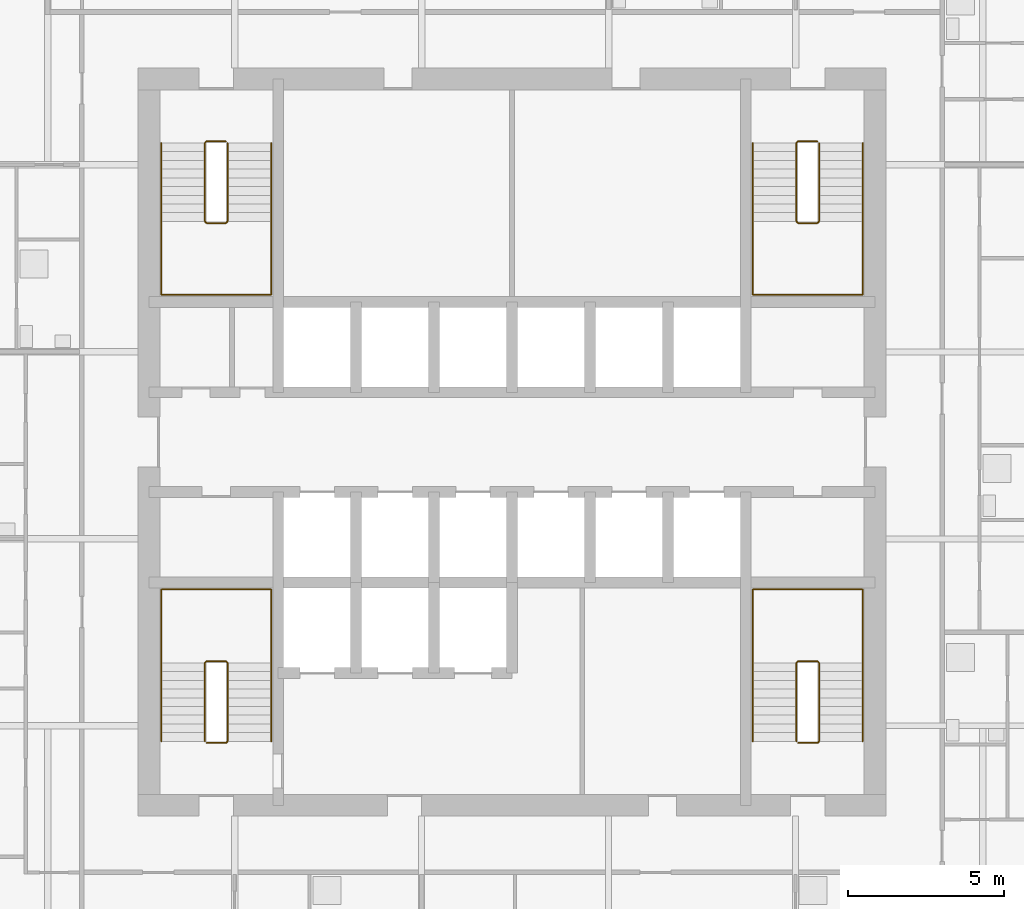
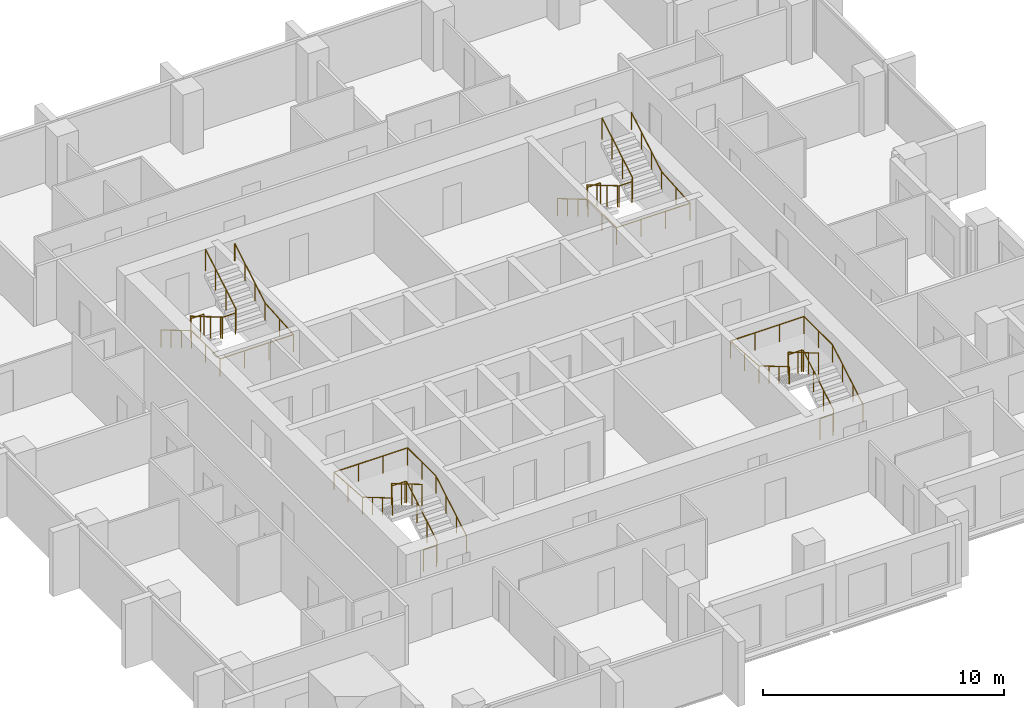
# One storey, part 9 of 10: 8 railings.
"""IFC4 building model written with IfcOpenShell, lengths in metres."""

from ifc_helpers import new_model, si_unit, direction, frame, origin, origin_2d, place, context, subcontext, project, spatial, circle, extrude, material, type_object, element, save


model = new_model("IFC4")

# Units and contexts
model_context = context("Model", 3, precision=1e-05, world=origin(), true_north=direction((0.0, 1.0)))
body_context = subcontext(model_context, "Body", "Model", "MODEL_VIEW")
ifc_project = project(units=[si_unit("LENGTHUNIT", "METRE"), si_unit("AREAUNIT", "SQUARE_METRE"), si_unit("VOLUMEUNIT", "CUBIC_METRE"), si_unit("PLANEANGLEUNIT", "RADIAN"), si_unit("MASSUNIT", "GRAM", prefix="KILO")], contexts=[model_context])

# Site, building, storey
site_placement = place(None, origin())
site = spatial("IfcSite", under=ifc_project, at=site_placement, CompositionType="ELEMENT")
building_placement = place(site_placement, origin())
building = spatial("IfcBuilding", under=site, at=building_placement, Name="Amberfall Residences", CompositionType="ELEMENT")
storey_placement = place(building_placement, frame((0.0, 0.0, 147.10009765625)))
storey = spatial("IfcBuildingStorey", under=building, at=storey_placement, Name="L39", CompositionType="ELEMENT", Elevation=147.10009765625)

# Railings
ifc_material = material(Name="Stainless steel 316", Category="steel")
railing_type_1 = type_object("IfcRailingType", Name="Stair guard 1100", PredefinedType="GUARDRAIL", material=ifc_material)
railing_1_placement = place(storey_placement, frame((64.699951171875, 35.85009765625, 0.0)))
element("IfcRailing", 1, at=railing_1_placement, inside=storey, type_object=railing_type_1, Name="L39 stair 1 guard", PredefinedType="GUARDRAIL", context=body_context, shape_type="SweptSolid", body=[
    extrude(circle(Radius=0.02392578125, at=origin_2d()), frame((0.0, 0.0, 1.076171875), z_axis=(1.0, 0.0, 0.0), x_axis=(0.0, 1.0, 0.0)), (0.0, 0.0, 1.0), 0.625),
    extrude(circle(Radius=0.02392578125, at=origin_2d()), frame((0.625, 0.0, 1.076171875), z_axis=(0.279159454702, 0.277797701265, 0.919183570361), x_axis=(-0.705375805398, 0.708833529934, 0.0)), (0.0, 0.0, 1.0), 0.17919921875),
    extrude(circle(Radius=0.02392578125, at=origin_2d()), frame((0.675048828125, 0.0498046875, 1.24072265625), z_axis=(0.0, 0.86152411907, 0.507716645641), x_axis=(-1.0, 0.0, 0.0)), (0.0, 0.0, 1.0), 2.925048828125),
    extrude(circle(Radius=0.02392578125, at=origin_2d()), frame((0.675048828125, 2.56982421875, 2.72607421875), z_axis=(-0.707106781187, 0.707106781187, 0.0), x_axis=(-0.707106781187, -0.707106781187, 0.0)), (0.0, 0.0, 1.0), 0.07080078125),
    extrude(circle(Radius=0.02392578125, at=origin_2d()), frame((0.625, 2.619873046875, 2.72607421875), z_axis=(-1.0, 0.0, 0.0), x_axis=(0.0, -1.0, 0.0)), (0.0, 0.0, 1.0), 0.625),
    extrude(circle(Radius=0.02392578125, at=origin_2d()), frame((0.0, 2.619873046875, 2.72607421875), z_axis=(-0.278705021027, -0.278705021027, 0.919046801044), x_axis=(0.707106781187, -0.707106781187, 0.0)), (0.0, 0.0, 1.0), 0.1796875),
    extrude(circle(Radius=0.02392578125, at=origin_2d()), frame((-0.050048828125, 2.56982421875, 2.89111328125), z_axis=(0.0, -0.861560626758, 0.507654692109), x_axis=(1.0, 0.0, 0.0)), (0.0, 0.0, 1.0), 2.925048828125),
    extrude(circle(Radius=0.02099609375, at=origin_2d()), origin(), (0.0, 0.0, 1.0), 1.052001953125),
    extrude(circle(Radius=0.02099609375, at=origin_2d()), frame((0.625, 0.0, 0.0)), (0.0, 0.0, 1.0), 1.052001953125),
    extrude(circle(Radius=0.02099609375, at=origin_2d()), frame((0.675048828125, 0.0498046875, 0.164794921875)), (0.0, 0.0, 1.0), 1.052001953125),
    extrude(circle(Radius=0.02099609375, at=origin_2d()), frame((0.675048828125, 0.889892578125, 0.659912109375)), (0.0, 0.0, 1.0), 1.052001953125),
    extrude(circle(Radius=0.02099609375, at=origin_2d()), frame((0.675048828125, 1.729736328125, 1.15478515625)), (0.0, 0.0, 1.0), 1.052001953125),
    extrude(circle(Radius=0.02099609375, at=origin_2d()), frame((0.675048828125, 2.56982421875, 1.64990234375)), (0.0, 0.0, 1.0), 1.052001953125),
    extrude(circle(Radius=0.02099609375, at=origin_2d()), frame((0.625, 2.619873046875, 1.64990234375)), (0.0, 0.0, 1.0), 1.052001953125),
    extrude(circle(Radius=0.02099609375, at=origin_2d()), frame((0.0, 2.619873046875, 1.64990234375)), (0.0, 0.0, 1.0), 1.052001953125),
    extrude(circle(Radius=0.02099609375, at=origin_2d()), frame((-0.050048828125, 2.56982421875, 1.81494140625)), (0.0, 0.0, 1.0), 1.052001953125),
    extrude(circle(Radius=0.02099609375, at=origin_2d()), frame((-0.050048828125, 1.729736328125, 2.309814453125)), (0.0, 0.0, 1.0), 1.052001953125),
    extrude(circle(Radius=0.02099609375, at=origin_2d()), frame((-0.050048828125, 0.889892578125, 2.804931640625)), (0.0, 0.0, 1.0), 1.052001953125),
    extrude(circle(Radius=0.02099609375, at=origin_2d()), frame((-0.050048828125, 0.0498046875, 3.2998046875)), (0.0, 0.0, 1.0), 1.052001953125),
])
railing_2_placement = place(storey_placement, frame((83.675048828125, 35.85009765625, 0.0)))
element("IfcRailing", 2, at=railing_2_placement, inside=storey, type_object=railing_type_1, Name="L39 stair 2 guard", PredefinedType="GUARDRAIL", context=body_context, shape_type="SweptSolid", body=[
    extrude(circle(Radius=0.02392578125, at=origin_2d()), frame((0.0, 0.0, 1.076171875), z_axis=(1.0, 0.0, 0.0), x_axis=(0.0, 1.0, 0.0)), (0.0, 0.0, 1.0), 0.625),
    extrude(circle(Radius=0.02392578125, at=origin_2d()), frame((0.625, 0.0, 1.076171875), z_axis=(0.279159454702, 0.277797701265, 0.919183570361), x_axis=(-0.705375805398, 0.708833529934, 0.0)), (0.0, 0.0, 1.0), 0.17919921875),
    extrude(circle(Radius=0.02392578125, at=origin_2d()), frame((0.675048828125, 0.0498046875, 1.24072265625), z_axis=(0.0, 0.86152411907, 0.507716645641), x_axis=(-1.0, 0.0, 0.0)), (0.0, 0.0, 1.0), 2.925048828125),
    extrude(circle(Radius=0.02392578125, at=origin_2d()), frame((0.675048828125, 2.56982421875, 2.72607421875), z_axis=(-0.707106781187, 0.707106781187, 0.0), x_axis=(-0.707106781187, -0.707106781187, 0.0)), (0.0, 0.0, 1.0), 0.07080078125),
    extrude(circle(Radius=0.02392578125, at=origin_2d()), frame((0.625, 2.619873046875, 2.72607421875), z_axis=(-1.0, 0.0, 0.0), x_axis=(0.0, -1.0, 0.0)), (0.0, 0.0, 1.0), 0.625),
    extrude(circle(Radius=0.02392578125, at=origin_2d()), frame((0.0, 2.619873046875, 2.72607421875), z_axis=(-0.278705021027, -0.278705021027, 0.919046801044), x_axis=(0.707106781187, -0.707106781187, 0.0)), (0.0, 0.0, 1.0), 0.1796875),
    extrude(circle(Radius=0.02392578125, at=origin_2d()), frame((-0.050048828125, 2.56982421875, 2.89111328125), z_axis=(0.0, -0.861560626758, 0.507654692109), x_axis=(1.0, 0.0, 0.0)), (0.0, 0.0, 1.0), 2.925048828125),
    extrude(circle(Radius=0.02099609375, at=origin_2d()), origin(), (0.0, 0.0, 1.0), 1.052001953125),
    extrude(circle(Radius=0.02099609375, at=origin_2d()), frame((0.625, 0.0, 0.0)), (0.0, 0.0, 1.0), 1.052001953125),
    extrude(circle(Radius=0.02099609375, at=origin_2d()), frame((0.675048828125, 0.0498046875, 0.164794921875)), (0.0, 0.0, 1.0), 1.052001953125),
    extrude(circle(Radius=0.02099609375, at=origin_2d()), frame((0.675048828125, 0.889892578125, 0.659912109375)), (0.0, 0.0, 1.0), 1.052001953125),
    extrude(circle(Radius=0.02099609375, at=origin_2d()), frame((0.675048828125, 1.729736328125, 1.15478515625)), (0.0, 0.0, 1.0), 1.052001953125),
    extrude(circle(Radius=0.02099609375, at=origin_2d()), frame((0.675048828125, 2.56982421875, 1.64990234375)), (0.0, 0.0, 1.0), 1.052001953125),
    extrude(circle(Radius=0.02099609375, at=origin_2d()), frame((0.625, 2.619873046875, 1.64990234375)), (0.0, 0.0, 1.0), 1.052001953125),
    extrude(circle(Radius=0.02099609375, at=origin_2d()), frame((0.0, 2.619873046875, 1.64990234375)), (0.0, 0.0, 1.0), 1.052001953125),
    extrude(circle(Radius=0.02099609375, at=origin_2d()), frame((-0.050048828125, 2.56982421875, 1.81494140625)), (0.0, 0.0, 1.0), 1.052001953125),
    extrude(circle(Radius=0.02099609375, at=origin_2d()), frame((-0.050048828125, 1.729736328125, 2.309814453125)), (0.0, 0.0, 1.0), 1.052001953125),
    extrude(circle(Radius=0.02099609375, at=origin_2d()), frame((-0.050048828125, 0.889892578125, 2.804931640625)), (0.0, 0.0, 1.0), 1.052001953125),
    extrude(circle(Radius=0.02099609375, at=origin_2d()), frame((-0.050048828125, 0.0498046875, 3.2998046875)), (0.0, 0.0, 1.0), 1.052001953125),
])
railing_3_placement = place(storey_placement, frame((84.300048828125, 55.14990234375, 0.0)))
element("IfcRailing", 3, at=railing_3_placement, inside=storey, type_object=railing_type_1, Name="L39 stair 3 guard", PredefinedType="GUARDRAIL", context=body_context, shape_type="SweptSolid", body=[
    extrude(circle(Radius=0.02392578125, at=origin_2d()), frame((0.0, 0.0, 1.076171875), z_axis=(-1.0, 0.0, 0.0), x_axis=(0.0, -1.0, 0.0)), (0.0, 0.0, 1.0), 0.625),
    extrude(circle(Radius=0.02392578125, at=origin_2d()), frame((-0.625, 0.0, 1.076171875), z_axis=(-0.279159454702, -0.277797701265, 0.919183570361), x_axis=(0.705375805398, -0.708833529934, 0.0)), (0.0, 0.0, 1.0), 0.17919921875),
    extrude(circle(Radius=0.02392578125, at=origin_2d()), frame((-0.675048828125, -0.0498046875, 1.24072265625), z_axis=(0.0, -0.86152411907, 0.507716645641), x_axis=(1.0, 0.0, 0.0)), (0.0, 0.0, 1.0), 2.925048828125),
    extrude(circle(Radius=0.02392578125, at=origin_2d()), frame((-0.675048828125, -2.56982421875, 2.72607421875), z_axis=(0.707106781187, -0.707106781187, 0.0), x_axis=(0.707106781187, 0.707106781187, 0.0)), (0.0, 0.0, 1.0), 0.07080078125),
    extrude(circle(Radius=0.02392578125, at=origin_2d()), frame((-0.625, -2.619873046875, 2.72607421875), z_axis=(1.0, 0.0, 0.0), x_axis=(0.0, 1.0, 0.0)), (0.0, 0.0, 1.0), 0.625),
    extrude(circle(Radius=0.02392578125, at=origin_2d()), frame((0.0, -2.619873046875, 2.72607421875), z_axis=(0.278705021027, 0.278705021027, 0.919046801044), x_axis=(-0.707106781187, 0.707106781187, 0.0)), (0.0, 0.0, 1.0), 0.1796875),
    extrude(circle(Radius=0.02392578125, at=origin_2d()), frame((0.050048828125, -2.56982421875, 2.89111328125), z_axis=(0.0, 0.861560626758, 0.507654692109), x_axis=(-1.0, 0.0, 0.0)), (0.0, 0.0, 1.0), 2.925048828125),
    extrude(circle(Radius=0.02099609375, at=origin_2d()), origin(), (0.0, 0.0, 1.0), 1.052001953125),
    extrude(circle(Radius=0.02099609375, at=origin_2d()), frame((-0.625, 0.0, 0.0)), (0.0, 0.0, 1.0), 1.052001953125),
    extrude(circle(Radius=0.02099609375, at=origin_2d()), frame((-0.675048828125, -0.0498046875, 0.164794921875)), (0.0, 0.0, 1.0), 1.052001953125),
    extrude(circle(Radius=0.02099609375, at=origin_2d()), frame((-0.675048828125, -0.889892578125, 0.659912109375)), (0.0, 0.0, 1.0), 1.052001953125),
    extrude(circle(Radius=0.02099609375, at=origin_2d()), frame((-0.675048828125, -1.729736328125, 1.15478515625)), (0.0, 0.0, 1.0), 1.052001953125),
    extrude(circle(Radius=0.02099609375, at=origin_2d()), frame((-0.675048828125, -2.56982421875, 1.64990234375)), (0.0, 0.0, 1.0), 1.052001953125),
    extrude(circle(Radius=0.02099609375, at=origin_2d()), frame((-0.625, -2.619873046875, 1.64990234375)), (0.0, 0.0, 1.0), 1.052001953125),
    extrude(circle(Radius=0.02099609375, at=origin_2d()), frame((0.0, -2.619873046875, 1.64990234375)), (0.0, 0.0, 1.0), 1.052001953125),
    extrude(circle(Radius=0.02099609375, at=origin_2d()), frame((0.050048828125, -2.56982421875, 1.81494140625)), (0.0, 0.0, 1.0), 1.052001953125),
    extrude(circle(Radius=0.02099609375, at=origin_2d()), frame((0.050048828125, -1.729736328125, 2.309814453125)), (0.0, 0.0, 1.0), 1.052001953125),
    extrude(circle(Radius=0.02099609375, at=origin_2d()), frame((0.050048828125, -0.889892578125, 2.804931640625)), (0.0, 0.0, 1.0), 1.052001953125),
    extrude(circle(Radius=0.02099609375, at=origin_2d()), frame((0.050048828125, -0.0498046875, 3.2998046875)), (0.0, 0.0, 1.0), 1.052001953125),
])
railing_4_placement = place(storey_placement, frame((65.324951171875, 55.14990234375, 0.0)))
element("IfcRailing", 4, at=railing_4_placement, inside=storey, type_object=railing_type_1, Name="L39 stair 4 guard", PredefinedType="GUARDRAIL", context=body_context, shape_type="SweptSolid", body=[
    extrude(circle(Radius=0.02392578125, at=origin_2d()), frame((0.0, 0.0, 1.076171875), z_axis=(-1.0, 0.0, 0.0), x_axis=(0.0, -1.0, 0.0)), (0.0, 0.0, 1.0), 0.625),
    extrude(circle(Radius=0.02392578125, at=origin_2d()), frame((-0.625, 0.0, 1.076171875), z_axis=(-0.279159454702, -0.277797701265, 0.919183570361), x_axis=(0.705375805398, -0.708833529934, 0.0)), (0.0, 0.0, 1.0), 0.17919921875),
    extrude(circle(Radius=0.02392578125, at=origin_2d()), frame((-0.675048828125, -0.0498046875, 1.24072265625), z_axis=(0.0, -0.86152411907, 0.507716645641), x_axis=(1.0, 0.0, 0.0)), (0.0, 0.0, 1.0), 2.925048828125),
    extrude(circle(Radius=0.02392578125, at=origin_2d()), frame((-0.675048828125, -2.56982421875, 2.72607421875), z_axis=(0.707106781187, -0.707106781187, 0.0), x_axis=(0.707106781187, 0.707106781187, 0.0)), (0.0, 0.0, 1.0), 0.07080078125),
    extrude(circle(Radius=0.02392578125, at=origin_2d()), frame((-0.625, -2.619873046875, 2.72607421875), z_axis=(1.0, 0.0, 0.0), x_axis=(0.0, 1.0, 0.0)), (0.0, 0.0, 1.0), 0.625),
    extrude(circle(Radius=0.02392578125, at=origin_2d()), frame((0.0, -2.619873046875, 2.72607421875), z_axis=(0.278705021027, 0.278705021027, 0.919046801044), x_axis=(-0.707106781187, 0.707106781187, 0.0)), (0.0, 0.0, 1.0), 0.1796875),
    extrude(circle(Radius=0.02392578125, at=origin_2d()), frame((0.050048828125, -2.56982421875, 2.89111328125), z_axis=(0.0, 0.861560626758, 0.507654692109), x_axis=(-1.0, 0.0, 0.0)), (0.0, 0.0, 1.0), 2.925048828125),
    extrude(circle(Radius=0.02099609375, at=origin_2d()), origin(), (0.0, 0.0, 1.0), 1.052001953125),
    extrude(circle(Radius=0.02099609375, at=origin_2d()), frame((-0.625, 0.0, 0.0)), (0.0, 0.0, 1.0), 1.052001953125),
    extrude(circle(Radius=0.02099609375, at=origin_2d()), frame((-0.675048828125, -0.0498046875, 0.164794921875)), (0.0, 0.0, 1.0), 1.052001953125),
    extrude(circle(Radius=0.02099609375, at=origin_2d()), frame((-0.675048828125, -0.889892578125, 0.659912109375)), (0.0, 0.0, 1.0), 1.052001953125),
    extrude(circle(Radius=0.02099609375, at=origin_2d()), frame((-0.675048828125, -1.729736328125, 1.15478515625)), (0.0, 0.0, 1.0), 1.052001953125),
    extrude(circle(Radius=0.02099609375, at=origin_2d()), frame((-0.675048828125, -2.56982421875, 1.64990234375)), (0.0, 0.0, 1.0), 1.052001953125),
    extrude(circle(Radius=0.02099609375, at=origin_2d()), frame((-0.625, -2.619873046875, 1.64990234375)), (0.0, 0.0, 1.0), 1.052001953125),
    extrude(circle(Radius=0.02099609375, at=origin_2d()), frame((0.0, -2.619873046875, 1.64990234375)), (0.0, 0.0, 1.0), 1.052001953125),
    extrude(circle(Radius=0.02099609375, at=origin_2d()), frame((0.050048828125, -2.56982421875, 1.81494140625)), (0.0, 0.0, 1.0), 1.052001953125),
    extrude(circle(Radius=0.02099609375, at=origin_2d()), frame((0.050048828125, -1.729736328125, 2.309814453125)), (0.0, 0.0, 1.0), 1.052001953125),
    extrude(circle(Radius=0.02099609375, at=origin_2d()), frame((0.050048828125, -0.889892578125, 2.804931640625)), (0.0, 0.0, 1.0), 1.052001953125),
    extrude(circle(Radius=0.02099609375, at=origin_2d()), frame((0.050048828125, -0.0498046875, 3.2998046875)), (0.0, 0.0, 1.0), 1.052001953125),
])
railing_type_2 = type_object("IfcRailingType", Name="Stair handrail 900", PredefinedType="HANDRAIL", material=ifc_material)
railing_5_placement = place(storey_placement, frame((66.77490234375, 35.89990234375, 0.164794921875)))
element("IfcRailing", 5, at=railing_5_placement, inside=storey, type_object=railing_type_2, Name="L39 stair 1 handrail", PredefinedType="HANDRAIL", context=body_context, shape_type="SweptSolid", body=[
    extrude(circle(Radius=0.02392578125, at=origin_2d()), frame((0.0, 0.0, 0.8759765625), z_axis=(0.0, 0.86152411907, 0.507716645641), x_axis=(-1.0, 0.0, 0.0)), (0.0, 0.0, 1.0), 2.925048828125),
    extrude(circle(Radius=0.02392578125, at=origin_2d()), frame((0.0, 2.52001953125, 2.36083984375), z_axis=(0.0, 1.0, 0.0), x_axis=(-1.0, 0.0, 0.0)), (0.0, 0.0, 1.0), 2.35498046875),
    extrude(circle(Radius=0.02392578125, at=origin_2d()), frame((0.0, 4.875, 2.36083984375), z_axis=(-1.0, 0.0, 0.0), x_axis=(0.0, -1.0, 0.0)), (0.0, 0.0, 1.0), 3.52490234375),
    extrude(circle(Radius=0.02392578125, at=origin_2d()), frame((-3.52490234375, 4.875, 2.36083984375), z_axis=(0.0, -0.997553344917, 0.069909398835), x_axis=(1.0, 0.0, 0.0)), (0.0, 0.0, 1.0), 2.36083984375),
    extrude(circle(Radius=0.02392578125, at=origin_2d()), frame((-3.52490234375, 2.52001953125, 2.52587890625), z_axis=(0.0, -0.861560626758, 0.507654692109), x_axis=(1.0, 0.0, 0.0)), (0.0, 0.0, 1.0), 2.925048828125),
    extrude(circle(Radius=0.02099609375, at=origin_2d()), origin(), (0.0, 0.0, 1.0), 0.851806640625),
    extrude(circle(Radius=0.02099609375, at=origin_2d()), frame((0.0, 0.840087890625, 0.4951171875)), (0.0, 0.0, 1.0), 0.851806640625),
    extrude(circle(Radius=0.02099609375, at=origin_2d()), frame((0.0, 1.679931640625, 0.989990234375)), (0.0, 0.0, 1.0), 0.851806640625),
    extrude(circle(Radius=0.02099609375, at=origin_2d()), frame((0.0, 2.52001953125, 1.485107421875)), (0.0, 0.0, 1.0), 0.851806640625),
    extrude(circle(Radius=0.02099609375, at=origin_2d()), frame((0.0, 3.697509765625, 1.485107421875)), (0.0, 0.0, 1.0), 0.851806640625),
    extrude(circle(Radius=0.02099609375, at=origin_2d()), frame((0.0, 4.875, 1.485107421875)), (0.0, 0.0, 1.0), 0.851806640625),
    extrude(circle(Radius=0.02099609375, at=origin_2d()), frame((-1.175048828125, 4.875, 1.485107421875)), (0.0, 0.0, 1.0), 0.851806640625),
    extrude(circle(Radius=0.02099609375, at=origin_2d()), frame((-2.349853515625, 4.875, 1.485107421875)), (0.0, 0.0, 1.0), 0.851806640625),
    extrude(circle(Radius=0.02099609375, at=origin_2d()), frame((-3.52490234375, 4.875, 1.485107421875)), (0.0, 0.0, 1.0), 0.851806640625),
    extrude(circle(Radius=0.02099609375, at=origin_2d()), frame((-3.52490234375, 3.697509765625, 1.567626953125)), (0.0, 0.0, 1.0), 0.851806640625),
    extrude(circle(Radius=0.02099609375, at=origin_2d()), frame((-3.52490234375, 2.52001953125, 1.650146484375)), (0.0, 0.0, 1.0), 0.851806640625),
    extrude(circle(Radius=0.02099609375, at=origin_2d()), frame((-3.52490234375, 1.679931640625, 2.14501953125)), (0.0, 0.0, 1.0), 0.851806640625),
    extrude(circle(Radius=0.02099609375, at=origin_2d()), frame((-3.52490234375, 0.840087890625, 2.64013671875)), (0.0, 0.0, 1.0), 0.851806640625),
    extrude(circle(Radius=0.02099609375, at=origin_2d()), frame((-3.52490234375, 0.0, 3.135009765625)), (0.0, 0.0, 1.0), 0.851806640625),
])
railing_6_placement = place(storey_placement, frame((85.75, 35.89990234375, 0.164794921875)))
element("IfcRailing", 6, at=railing_6_placement, inside=storey, type_object=railing_type_2, Name="L39 stair 2 handrail", PredefinedType="HANDRAIL", context=body_context, shape_type="SweptSolid", body=[
    extrude(circle(Radius=0.02392578125, at=origin_2d()), frame((0.0, 0.0, 0.8759765625), z_axis=(0.0, 0.86152411907, 0.507716645641), x_axis=(-1.0, 0.0, 0.0)), (0.0, 0.0, 1.0), 2.925048828125),
    extrude(circle(Radius=0.02392578125, at=origin_2d()), frame((0.0, 2.52001953125, 2.36083984375), z_axis=(0.0, 1.0, 0.0), x_axis=(-1.0, 0.0, 0.0)), (0.0, 0.0, 1.0), 2.35498046875),
    extrude(circle(Radius=0.02392578125, at=origin_2d()), frame((0.0, 4.875, 2.36083984375), z_axis=(-1.0, 0.0, 0.0), x_axis=(0.0, -1.0, 0.0)), (0.0, 0.0, 1.0), 3.52490234375),
    extrude(circle(Radius=0.02392578125, at=origin_2d()), frame((-3.52490234375, 4.875, 2.36083984375), z_axis=(0.0, -0.997553344917, 0.069909398835), x_axis=(1.0, 0.0, 0.0)), (0.0, 0.0, 1.0), 2.36083984375),
    extrude(circle(Radius=0.02392578125, at=origin_2d()), frame((-3.52490234375, 2.52001953125, 2.52587890625), z_axis=(0.0, -0.861560626758, 0.507654692109), x_axis=(1.0, 0.0, 0.0)), (0.0, 0.0, 1.0), 2.925048828125),
    extrude(circle(Radius=0.02099609375, at=origin_2d()), origin(), (0.0, 0.0, 1.0), 0.851806640625),
    extrude(circle(Radius=0.02099609375, at=origin_2d()), frame((0.0, 0.840087890625, 0.4951171875)), (0.0, 0.0, 1.0), 0.851806640625),
    extrude(circle(Radius=0.02099609375, at=origin_2d()), frame((0.0, 1.679931640625, 0.989990234375)), (0.0, 0.0, 1.0), 0.851806640625),
    extrude(circle(Radius=0.02099609375, at=origin_2d()), frame((0.0, 2.52001953125, 1.485107421875)), (0.0, 0.0, 1.0), 0.851806640625),
    extrude(circle(Radius=0.02099609375, at=origin_2d()), frame((0.0, 3.697509765625, 1.485107421875)), (0.0, 0.0, 1.0), 0.851806640625),
    extrude(circle(Radius=0.02099609375, at=origin_2d()), frame((0.0, 4.875, 1.485107421875)), (0.0, 0.0, 1.0), 0.851806640625),
    extrude(circle(Radius=0.02099609375, at=origin_2d()), frame((-1.175048828125, 4.875, 1.485107421875)), (0.0, 0.0, 1.0), 0.851806640625),
    extrude(circle(Radius=0.02099609375, at=origin_2d()), frame((-2.349853515625, 4.875, 1.485107421875)), (0.0, 0.0, 1.0), 0.851806640625),
    extrude(circle(Radius=0.02099609375, at=origin_2d()), frame((-3.52490234375, 4.875, 1.485107421875)), (0.0, 0.0, 1.0), 0.851806640625),
    extrude(circle(Radius=0.02099609375, at=origin_2d()), frame((-3.52490234375, 3.697509765625, 1.567626953125)), (0.0, 0.0, 1.0), 0.851806640625),
    extrude(circle(Radius=0.02099609375, at=origin_2d()), frame((-3.52490234375, 2.52001953125, 1.650146484375)), (0.0, 0.0, 1.0), 0.851806640625),
    extrude(circle(Radius=0.02099609375, at=origin_2d()), frame((-3.52490234375, 1.679931640625, 2.14501953125)), (0.0, 0.0, 1.0), 0.851806640625),
    extrude(circle(Radius=0.02099609375, at=origin_2d()), frame((-3.52490234375, 0.840087890625, 2.64013671875)), (0.0, 0.0, 1.0), 0.851806640625),
    extrude(circle(Radius=0.02099609375, at=origin_2d()), frame((-3.52490234375, 0.0, 3.135009765625)), (0.0, 0.0, 1.0), 0.851806640625),
])
railing_7_placement = place(storey_placement, frame((82.22509765625, 55.10009765625, 0.164794921875)))
element("IfcRailing", 7, at=railing_7_placement, inside=storey, type_object=railing_type_2, Name="L39 stair 3 handrail", PredefinedType="HANDRAIL", context=body_context, shape_type="SweptSolid", body=[
    extrude(circle(Radius=0.02392578125, at=origin_2d()), frame((0.0, 0.0, 0.8759765625), z_axis=(0.0, -0.86152411907, 0.507716645641), x_axis=(1.0, 0.0, 0.0)), (0.0, 0.0, 1.0), 2.925048828125),
    extrude(circle(Radius=0.02392578125, at=origin_2d()), frame((0.0, -2.52001953125, 2.36083984375), z_axis=(0.0, -1.0, 0.0), x_axis=(1.0, 0.0, 0.0)), (0.0, 0.0, 1.0), 2.35498046875),
    extrude(circle(Radius=0.02392578125, at=origin_2d()), frame((0.0, -4.875, 2.36083984375), z_axis=(1.0, 0.0, 0.0), x_axis=(0.0, 1.0, 0.0)), (0.0, 0.0, 1.0), 3.52490234375),
    extrude(circle(Radius=0.02392578125, at=origin_2d()), frame((3.52490234375, -4.875, 2.36083984375), z_axis=(0.0, 0.997553344917, 0.069909398835), x_axis=(-1.0, 0.0, 0.0)), (0.0, 0.0, 1.0), 2.36083984375),
    extrude(circle(Radius=0.02392578125, at=origin_2d()), frame((3.52490234375, -2.52001953125, 2.52587890625), z_axis=(0.0, 0.861560626758, 0.507654692109), x_axis=(-1.0, 0.0, 0.0)), (0.0, 0.0, 1.0), 2.925048828125),
    extrude(circle(Radius=0.02099609375, at=origin_2d()), origin(), (0.0, 0.0, 1.0), 0.851806640625),
    extrude(circle(Radius=0.02099609375, at=origin_2d()), frame((0.0, -0.840087890625, 0.4951171875)), (0.0, 0.0, 1.0), 0.851806640625),
    extrude(circle(Radius=0.02099609375, at=origin_2d()), frame((0.0, -1.679931640625, 0.989990234375)), (0.0, 0.0, 1.0), 0.851806640625),
    extrude(circle(Radius=0.02099609375, at=origin_2d()), frame((0.0, -2.52001953125, 1.485107421875)), (0.0, 0.0, 1.0), 0.851806640625),
    extrude(circle(Radius=0.02099609375, at=origin_2d()), frame((0.0, -3.697509765625, 1.485107421875)), (0.0, 0.0, 1.0), 0.851806640625),
    extrude(circle(Radius=0.02099609375, at=origin_2d()), frame((0.0, -4.875, 1.485107421875)), (0.0, 0.0, 1.0), 0.851806640625),
    extrude(circle(Radius=0.02099609375, at=origin_2d()), frame((1.175048828125, -4.875, 1.485107421875)), (0.0, 0.0, 1.0), 0.851806640625),
    extrude(circle(Radius=0.02099609375, at=origin_2d()), frame((2.349853515625, -4.875, 1.485107421875)), (0.0, 0.0, 1.0), 0.851806640625),
    extrude(circle(Radius=0.02099609375, at=origin_2d()), frame((3.52490234375, -4.875, 1.485107421875)), (0.0, 0.0, 1.0), 0.851806640625),
    extrude(circle(Radius=0.02099609375, at=origin_2d()), frame((3.52490234375, -3.697509765625, 1.567626953125)), (0.0, 0.0, 1.0), 0.851806640625),
    extrude(circle(Radius=0.02099609375, at=origin_2d()), frame((3.52490234375, -2.52001953125, 1.650146484375)), (0.0, 0.0, 1.0), 0.851806640625),
    extrude(circle(Radius=0.02099609375, at=origin_2d()), frame((3.52490234375, -1.679931640625, 2.14501953125)), (0.0, 0.0, 1.0), 0.851806640625),
    extrude(circle(Radius=0.02099609375, at=origin_2d()), frame((3.52490234375, -0.840087890625, 2.64013671875)), (0.0, 0.0, 1.0), 0.851806640625),
    extrude(circle(Radius=0.02099609375, at=origin_2d()), frame((3.52490234375, 0.0, 3.135009765625)), (0.0, 0.0, 1.0), 0.851806640625),
])
railing_8_placement = place(storey_placement, frame((63.25, 55.10009765625, 0.164794921875)))
element("IfcRailing", 8, at=railing_8_placement, inside=storey, type_object=railing_type_2, Name="L39 stair 4 handrail", PredefinedType="HANDRAIL", context=body_context, shape_type="SweptSolid", body=[
    extrude(circle(Radius=0.02392578125, at=origin_2d()), frame((0.0, 0.0, 0.8759765625), z_axis=(0.0, -0.86152411907, 0.507716645641), x_axis=(1.0, 0.0, 0.0)), (0.0, 0.0, 1.0), 2.925048828125),
    extrude(circle(Radius=0.02392578125, at=origin_2d()), frame((0.0, -2.52001953125, 2.36083984375), z_axis=(0.0, -1.0, 0.0), x_axis=(1.0, 0.0, 0.0)), (0.0, 0.0, 1.0), 2.35498046875),
    extrude(circle(Radius=0.02392578125, at=origin_2d()), frame((0.0, -4.875, 2.36083984375), z_axis=(1.0, 0.0, 0.0), x_axis=(0.0, 1.0, 0.0)), (0.0, 0.0, 1.0), 3.52490234375),
    extrude(circle(Radius=0.02392578125, at=origin_2d()), frame((3.52490234375, -4.875, 2.36083984375), z_axis=(0.0, 0.997553344917, 0.069909398835), x_axis=(-1.0, 0.0, 0.0)), (0.0, 0.0, 1.0), 2.36083984375),
    extrude(circle(Radius=0.02392578125, at=origin_2d()), frame((3.52490234375, -2.52001953125, 2.52587890625), z_axis=(0.0, 0.861560626758, 0.507654692109), x_axis=(-1.0, 0.0, 0.0)), (0.0, 0.0, 1.0), 2.925048828125),
    extrude(circle(Radius=0.02099609375, at=origin_2d()), origin(), (0.0, 0.0, 1.0), 0.851806640625),
    extrude(circle(Radius=0.02099609375, at=origin_2d()), frame((0.0, -0.840087890625, 0.4951171875)), (0.0, 0.0, 1.0), 0.851806640625),
    extrude(circle(Radius=0.02099609375, at=origin_2d()), frame((0.0, -1.679931640625, 0.989990234375)), (0.0, 0.0, 1.0), 0.851806640625),
    extrude(circle(Radius=0.02099609375, at=origin_2d()), frame((0.0, -2.52001953125, 1.485107421875)), (0.0, 0.0, 1.0), 0.851806640625),
    extrude(circle(Radius=0.02099609375, at=origin_2d()), frame((0.0, -3.697509765625, 1.485107421875)), (0.0, 0.0, 1.0), 0.851806640625),
    extrude(circle(Radius=0.02099609375, at=origin_2d()), frame((0.0, -4.875, 1.485107421875)), (0.0, 0.0, 1.0), 0.851806640625),
    extrude(circle(Radius=0.02099609375, at=origin_2d()), frame((1.175048828125, -4.875, 1.485107421875)), (0.0, 0.0, 1.0), 0.851806640625),
    extrude(circle(Radius=0.02099609375, at=origin_2d()), frame((2.349853515625, -4.875, 1.485107421875)), (0.0, 0.0, 1.0), 0.851806640625),
    extrude(circle(Radius=0.02099609375, at=origin_2d()), frame((3.52490234375, -4.875, 1.485107421875)), (0.0, 0.0, 1.0), 0.851806640625),
    extrude(circle(Radius=0.02099609375, at=origin_2d()), frame((3.52490234375, -3.697509765625, 1.567626953125)), (0.0, 0.0, 1.0), 0.851806640625),
    extrude(circle(Radius=0.02099609375, at=origin_2d()), frame((3.52490234375, -2.52001953125, 1.650146484375)), (0.0, 0.0, 1.0), 0.851806640625),
    extrude(circle(Radius=0.02099609375, at=origin_2d()), frame((3.52490234375, -1.679931640625, 2.14501953125)), (0.0, 0.0, 1.0), 0.851806640625),
    extrude(circle(Radius=0.02099609375, at=origin_2d()), frame((3.52490234375, -0.840087890625, 2.64013671875)), (0.0, 0.0, 1.0), 0.851806640625),
    extrude(circle(Radius=0.02099609375, at=origin_2d()), frame((3.52490234375, 0.0, 3.135009765625)), (0.0, 0.0, 1.0), 0.851806640625),
])

save(model, "model.ifc")
